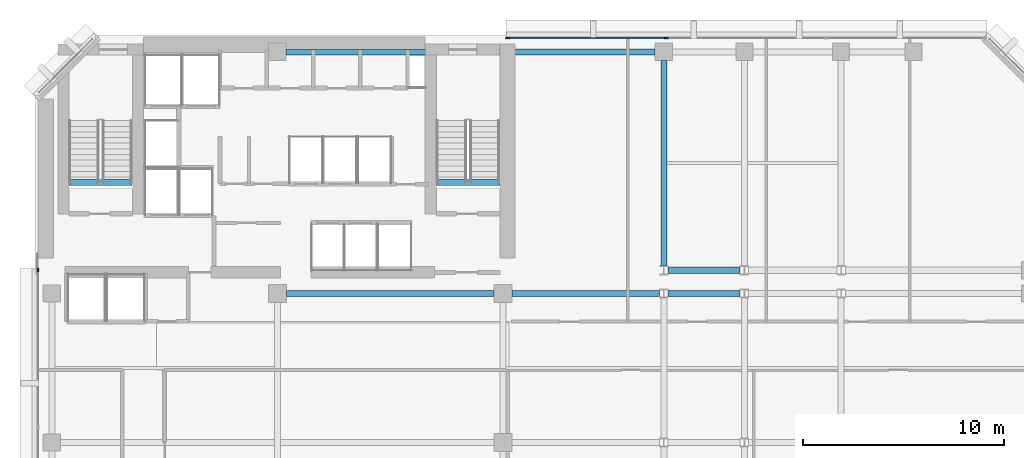
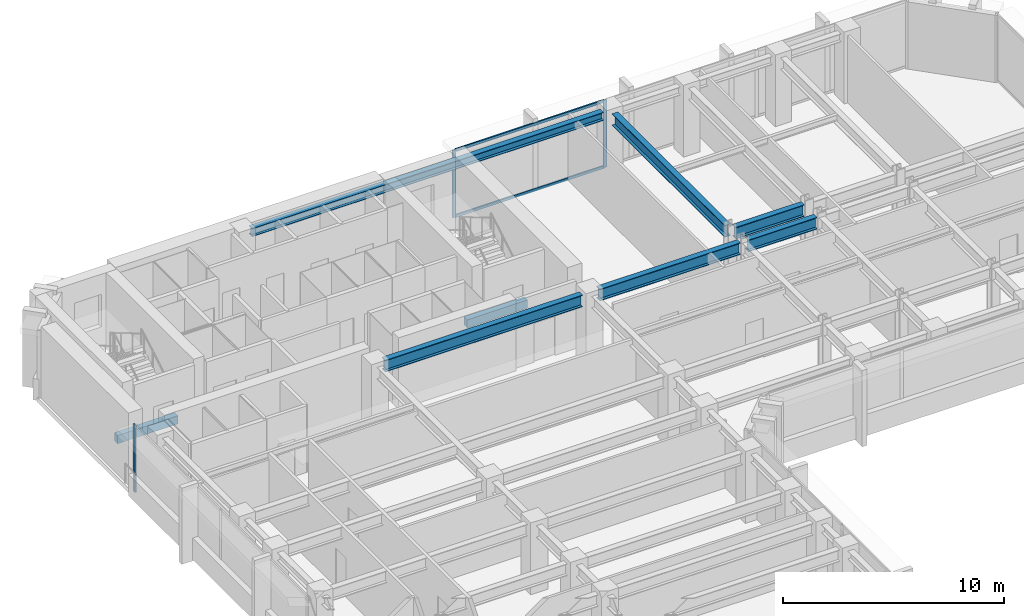
# One storey, part 4 of 11: 8 beams, 5 members, 2 elements without a shape of their own.
"""IFC4 building model written with IfcOpenShell, lengths in metres."""

from ifc_helpers import new_model, si_unit, direction, frame, origin, origin_2d, place, context, subcontext, project, spatial, rectangle, i_section, extrude, material, layer, layer_set, material_profile, profile_set, type_object, element, aggregate, save


model = new_model("IFC4")

# Units and contexts
model_context = context("Model", 3, precision=1e-05, world=origin(), true_north=direction((0.0, 1.0)))
body_context = subcontext(model_context, "Body", "Model", "MODEL_VIEW")
ifc_project = project(units=[si_unit("LENGTHUNIT", "METRE"), si_unit("AREAUNIT", "SQUARE_METRE"), si_unit("VOLUMEUNIT", "CUBIC_METRE"), si_unit("PLANEANGLEUNIT", "RADIAN"), si_unit("MASSUNIT", "GRAM", prefix="KILO")], contexts=[model_context])

# Site, building, storey
site_placement = place(None, origin())
site = spatial("IfcSite", under=ifc_project, at=site_placement, CompositionType="ELEMENT")
building_placement = place(site_placement, origin())
building = spatial("IfcBuilding", under=site, at=building_placement, Name="Kefirva Bronze Tower", CompositionType="ELEMENT")
storey_placement = place(building_placement, frame((0.0, 0.0, 134.969970703125)))
storey = spatial("IfcBuildingStorey", under=building, at=storey_placement, Name="L32", CompositionType="ELEMENT", Elevation=134.969970703125)

# Curtain wall, members
ifc_material_1 = material(Name="Bronze anodised aluminium", Category="aluminium")
ifc_layer = layer(ifc_material_1, 0.199951171875, Name="Bronze anodised aluminium")
ifc_layer_set = layer_set([ifc_layer], Name="Bronze anodised aluminium")
curtain_wall_type = type_object("IfcCurtainWallType", Name="Unitised Bronze Ribbon Curtain Wall Zone 2", PredefinedType="USERDEFINED", material=ifc_layer_set)
curtain_wall_1_placement = place(storey_placement, origin())
curtain_wall_1 = element("IfcCurtainWall", 1, at=curtain_wall_1_placement, inside=storey, type_object=curtain_wall_type, Name="L32 Curtain Wall 5", ObjectType="UNITISED CURTAIN WALL", PredefinedType="USERDEFINED")
ifc_material_profile_1 = material_profile(ifc_material_1, rectangle(XDim=0.074951171875, YDim=0.179931640625, at=origin_2d()), Name="ALU 75x180")
ifc_profile_set_1 = profile_set([ifc_material_profile_1], Name="Bronze anodised aluminium")
member_type_1 = type_object("IfcMemberType", Name="Bronze Mullion 75x180", PredefinedType="MULLION", material=ifc_profile_set_1)
member_1_placement = place(storey_placement, frame((31.318359375, 45.8798828125, 0.0), z_axis=(0.0, 0.0, 1.0), x_axis=(0.0, -1.0, 0.0)))
member_1 = element("IfcMember", 2, at=member_1_placement, type_object=member_type_1, Name="CW-02 mullion 3", PredefinedType="MULLION", context=body_context, shape_type="SweptSolid", body=[
    extrude(rectangle(XDim=0.074951171875, YDim=0.179931640625, at=origin_2d()), origin(), (0.0, 0.0, 1.0), 3.7099609375),
])
member_2_placement = place(storey_placement, frame((23.4423828125, 45.8798828125, 0.0), z_axis=(0.0, 0.0, 1.0), x_axis=(0.0, -1.0, 0.0)))
member_2 = element("IfcMember", 3, at=member_2_placement, type_object=member_type_1, Name="CW-02 mullion 4", PredefinedType="MULLION", context=body_context, shape_type="SweptSolid", body=[
    extrude(rectangle(XDim=0.074951171875, YDim=0.179931640625, at=origin_2d()), origin(), (0.0, 0.0, 1.0), 3.7099609375),
])

# Curtain wall, member
curtain_wall_2_placement = place(storey_placement, origin())
curtain_wall_2 = element("IfcCurtainWall", 4, at=curtain_wall_2_placement, inside=storey, type_object=curtain_wall_type, Name="L32 Curtain Wall 6", ObjectType="UNITISED CURTAIN WALL", PredefinedType="USERDEFINED")
member_3_placement = place(storey_placement, frame((0.1201171875, 34.357421875, 0.0), z_axis=(0.0, 0.0, 1.0), x_axis=(1.0, 0.0, 0.0)))
member_3 = element("IfcMember", 5, at=member_3_placement, type_object=member_type_1, Name="CW-02 mullion 1", PredefinedType="MULLION", context=body_context, shape_type="SweptSolid", body=[
    extrude(rectangle(XDim=0.074951171875, YDim=0.179931640625, at=origin_2d()), origin(), (0.0, 0.0, 1.0), 3.7099609375),
])
aggregate(curtain_wall_2, [member_3])

# Member
ifc_material_profile_2 = material_profile(ifc_material_1, rectangle(XDim=0.074951171875, YDim=0.14990234375, at=origin_2d()), Name="ALU 75x150")
ifc_profile_set_2 = profile_set([ifc_material_profile_2], Name="Bronze anodised aluminium")
member_type_2 = type_object("IfcMemberType", Name="Bronze Transom 75x150", PredefinedType="USERDEFINED", material=ifc_profile_set_2)
member_4_placement = place(storey_placement, frame((31.28076171875, 45.8798828125, 0.03759765625), z_axis=(-1.0, 0.0, 0.0), x_axis=(0.0, -1.0, 0.0)))
member_4 = element("IfcMember", 6, at=member_4_placement, type_object=member_type_2, Name="CW-02 transom 3.1", ObjectType="TRANSOM", PredefinedType="USERDEFINED", context=body_context, shape_type="SweptSolid", body=[
    extrude(rectangle(XDim=0.074951171875, YDim=0.14990234375, at=origin_2d()), origin(), (0.0, 0.0, 1.0), 7.80078125),
])

member_5_placement = place(storey_placement, frame((31.28076171875, 45.8798828125, 3.672607421875), z_axis=(-1.0, 0.0, 0.0), x_axis=(0.0, -1.0, 0.0)))
member_5 = element("IfcMember", 7, at=member_5_placement, type_object=member_type_2, Name="CW-02 transom 3.2", ObjectType="TRANSOM", PredefinedType="USERDEFINED", context=body_context, shape_type="SweptSolid", body=[
    extrude(rectangle(XDim=0.074951171875, YDim=0.14990234375, at=origin_2d()), origin(), (0.0, 0.0, 1.0), 7.80078125),
])

aggregate(curtain_wall_1, [member_1, member_2, member_4, member_5])

# Beams
ifc_material_2 = material(Name="Concrete C50/60", Category="concrete")
ifc_material_profile_3 = material_profile(ifc_material_2, rectangle(XDim=0.300048828125, YDim=0.449951171875, at=origin_2d()), Name="RC 300x450")
ifc_profile_set_3 = profile_set([ifc_material_profile_3], Name="Concrete C50/60")
beam_type_1 = type_object("IfcBeamType", Name="RC Stair Trimmer Beam 300x450", PredefinedType="BEAM", material=ifc_profile_set_3)
beam_1_placement = place(storey_placement, frame((1.64501953125, 38.699951171875, -0.224853515625), z_axis=(1.0, 0.0, 0.0), x_axis=(0.0, 1.0, 0.0)))
element("IfcBeam", 8, at=beam_1_placement, inside=storey, type_object=beam_type_1, Name="L32 Stair 1 Landing Trimmer Beam", PredefinedType="BEAM", context=body_context, shape_type="SweptSolid", body=[
    extrude(rectangle(XDim=0.300048828125, YDim=0.449951171875, at=origin_2d()), origin(), (0.0, 0.0, 1.0), 3.14990234375),
])
beam_2_placement = place(storey_placement, frame((19.89501953125, 38.699951171875, -0.224853515625), z_axis=(1.0, 0.0, 0.0), x_axis=(0.0, 1.0, 0.0)))
element("IfcBeam", 9, at=beam_2_placement, inside=storey, type_object=beam_type_1, Name="L32 Stair 2 Landing Trimmer Beam", PredefinedType="BEAM", context=body_context, shape_type="SweptSolid", body=[
    extrude(rectangle(XDim=0.300048828125, YDim=0.449951171875, at=origin_2d()), origin(), (0.0, 0.0, 1.0), 3.159912109375),
])
ifc_material_3 = material(Name="Steel S355", Category="steel")
ifc_material_profile_4 = material_profile(ifc_material_3, i_section(OverallWidth=0.300048828125, OverallDepth=0.64990234375, WebThickness=0.01611328125, FlangeThickness=0.031005859375, at=origin_2d()), Name="HEB 650")
ifc_profile_set_4 = profile_set([ifc_material_profile_4], Name="Steel S355")
beam_type_2 = type_object("IfcBeamType", Name="Steel Girder HEB 650", PredefinedType="USERDEFINED", material=ifc_profile_set_4)
beam_3_placement = place(storey_placement, frame((12.449951171875, 33.199951171875, 3.385009765625), z_axis=(1.0, 0.0, 0.0), x_axis=(0.0, 1.0, 0.0)))
element("IfcBeam", 10, at=beam_3_placement, inside=storey, type_object=beam_type_2, Name="L32 BM-L32-EW-12-332", ObjectType="GIRDER", PredefinedType="USERDEFINED", context=body_context, shape_type="SweptSolid", body=[
    extrude(i_section(OverallWidth=0.300048828125, OverallDepth=0.64990234375, WebThickness=0.01611328125, FlangeThickness=0.031005859375, at=origin_2d()), origin(), (0.0, 0.0, 1.0), 10.300048828125),
])
beam_4_placement = place(storey_placement, frame((23.64990234375, 33.199951171875, 3.385009765625), z_axis=(1.0, 0.0, 0.0), x_axis=(0.0, 1.0, 0.0)))
element("IfcBeam", 11, at=beam_4_placement, inside=storey, type_object=beam_type_2, Name="L32 BM-L32-EW-23-332", ObjectType="GIRDER", PredefinedType="USERDEFINED", context=body_context, shape_type="SweptSolid", body=[
    extrude(i_section(OverallWidth=0.300048828125, OverallDepth=0.64990234375, WebThickness=0.01611328125, FlangeThickness=0.031005859375, at=origin_2d()), origin(), (0.0, 0.0, 1.0), 7.341064453125),
])
for number, where, z_axis, x_axis, name in (
    (12, (31.408935546875, 33.199951171875, 3.385009765625), (1.0, 0.0, 0.0), (0.0, 1.0, 0.0), "L32 BM-L32-EW-31-332"),
    (13, (31.408935546875, 34.35009765625, 3.385009765625), (1.0, 0.0, 0.0), (0.0, 1.0, 0.0), "L32 BM-L32-EW-31-344"),
):
    element("IfcBeam", number, at=place(storey_placement, frame(where, z_axis=z_axis, x_axis=x_axis)), inside=storey, type_object=beam_type_2, Name=name, ObjectType="GIRDER", PredefinedType="USERDEFINED", context=body_context, shape_type="SweptSolid", body=[
        extrude(i_section(OverallWidth=0.300048828125, OverallDepth=0.64990234375, WebThickness=0.01611328125, FlangeThickness=0.031005859375, at=origin_2d()), origin(), (0.0, 0.0, 1.0), 3.58203125),
    ])
beam_5_placement = place(storey_placement, frame((31.199951171875, 34.577392578125, 3.385009765625), z_axis=(0.0, 1.0, 0.0), x_axis=(-1.0, 0.0, 0.0)))
element("IfcBeam", 14, at=beam_5_placement, inside=storey, type_object=beam_type_2, Name="L32 BM-L32-NS-312-34", ObjectType="GIRDER", PredefinedType="USERDEFINED", context=body_context, shape_type="SweptSolid", body=[
    extrude(i_section(OverallWidth=0.300048828125, OverallDepth=0.64990234375, WebThickness=0.01611328125, FlangeThickness=0.031005859375, at=origin_2d()), origin(), (0.0, 0.0, 1.0), 10.192626953125),
])
ifc_material_profile_5 = material_profile(ifc_material_3, i_section(OverallWidth=0.300048828125, OverallDepth=0.449951171875, WebThickness=0.013916015625, FlangeThickness=0.02587890625, at=origin_2d()), Name="HEB 450")
ifc_profile_set_5 = profile_set([ifc_material_profile_5], Name="Steel S355")
beam_type_3 = type_object("IfcBeamType", Name="Steel Spandrel HEB 450 Ext", PredefinedType="SPANDREL", material=ifc_profile_set_5)
beam_6_placement = place(storey_placement, frame((12.429931640625, 45.199951171875, 3.485107421875), z_axis=(1.0, 0.0, 0.0), x_axis=(0.0, 1.0, 0.0)))
element("IfcBeam", 15, at=beam_6_placement, inside=storey, type_object=beam_type_3, Name="L32 BM-L32-EW-12-452", PredefinedType="SPANDREL", context=body_context, shape_type="SweptSolid", body=[
    extrude(i_section(OverallWidth=0.300048828125, OverallDepth=0.449951171875, WebThickness=0.013916015625, FlangeThickness=0.02587890625, at=origin_2d()), origin(), (0.0, 0.0, 1.0), 18.340087890625),
])

save(model, "model.ifc")
